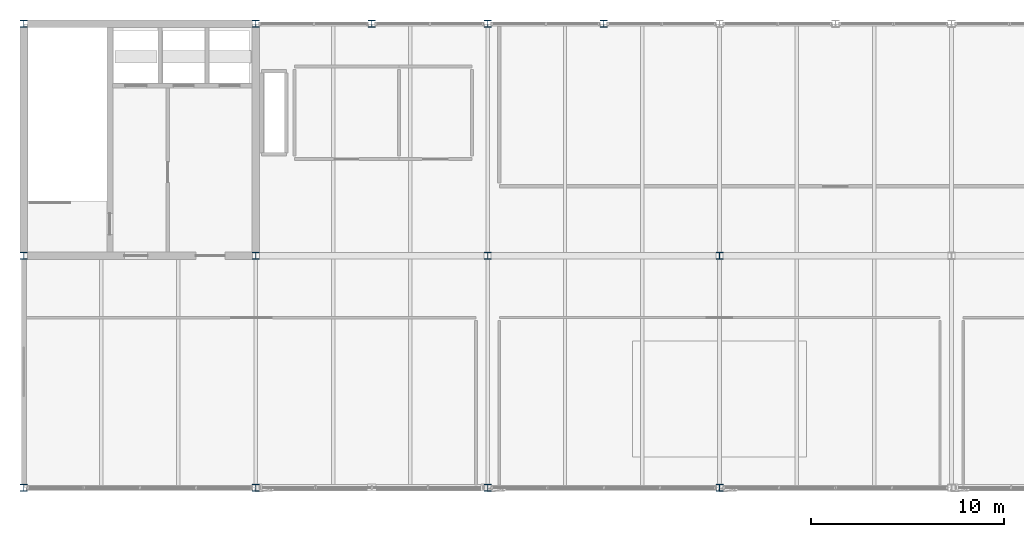
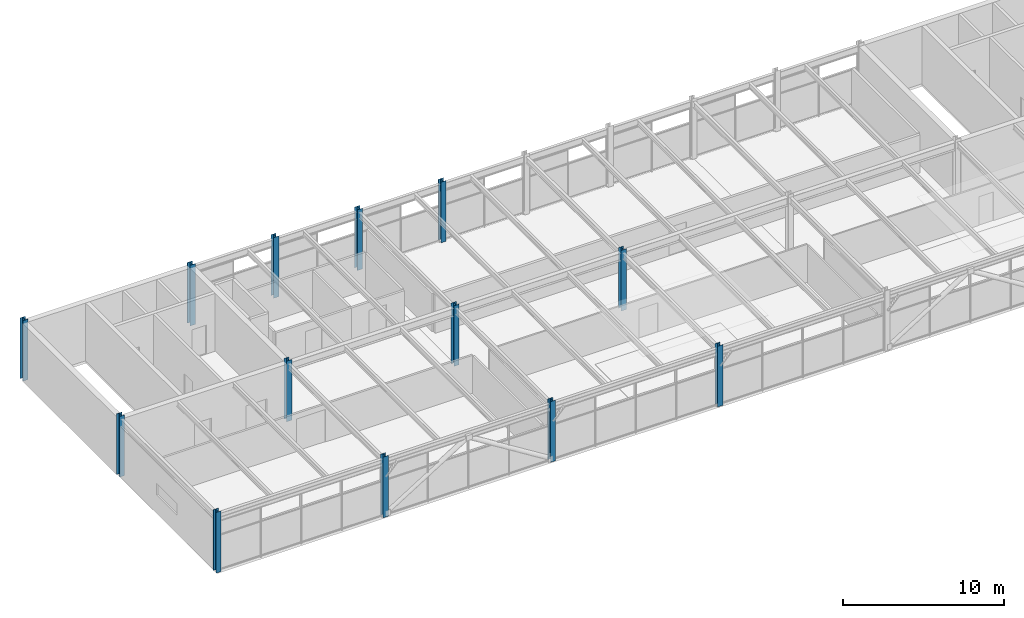
# One storey, part 1 of 28: 13 columns.
"""IFC4 building model written with IfcOpenShell, lengths in metres."""

from ifc_helpers import new_model, si_unit, direction, frame, origin, origin_2d, place, context, subcontext, project, spatial, i_section, extrude, material, material_profile, profile_set, type_object, element, save


model = new_model("IFC4")

# Units and contexts
model_context = context("Model", 3, precision=1e-05, world=origin(), true_north=direction((0.0, 1.0)))
body_context = subcontext(model_context, "Body", "Model", "MODEL_VIEW")
ifc_project = project(units=[si_unit("LENGTHUNIT", "METRE"), si_unit("AREAUNIT", "SQUARE_METRE"), si_unit("VOLUMEUNIT", "CUBIC_METRE"), si_unit("PLANEANGLEUNIT", "RADIAN"), si_unit("MASSUNIT", "GRAM", prefix="KILO")], contexts=[model_context])

# Site, building, storey
site_placement = place(None, origin())
site = spatial("IfcSite", under=ifc_project, at=site_placement, CompositionType="ELEMENT")
building_placement = place(site_placement, origin())
building = spatial("IfcBuilding", under=site, at=building_placement, Name="Girod Span Mobility Hub", CompositionType="ELEMENT")
storey_placement = place(building_placement, frame((0.0, 0.0, 69.60009765625)))
storey = spatial("IfcBuildingStorey", under=building, at=storey_placement, Name="L17", CompositionType="ELEMENT", Elevation=69.60009765625)

# Columns
ifc_material = material(Name="Steel A992 Grade 50", Category="steel")
ifc_material_profile = material_profile(ifc_material, i_section(OverallWidth=0.368896484375, OverallDepth=0.35595703125, WebThickness=0.01123046875, FlangeThickness=0.01806640625, FilletRadius=0.01806640625, at=origin_2d()), Name="W14X90")
ifc_profile_set = profile_set([ifc_material_profile], Name="Steel A992 Grade 50")
column_type = type_object("IfcColumnType", Name="COL-STL-W14X90", PredefinedType="COLUMN", material=ifc_profile_set)
for number, where, z_axis, x_axis, name in (
    (1, (48.0, 45.0, 0.0), (0.0, 0.0, 1.0), (1.0, 0.0, 0.0), "Column 5D L17"),
    (2, (48.0, 57.0, 0.0), (0.0, 0.0, 1.0), (1.0, 0.0, 0.0), "Column 5E L17"),
    (3, (48.0, 69.0, 0.0), (0.0, 0.0, 1.0), (1.0, 0.0, 0.0), "Column 5F L17"),
    (4, (60.0, 45.0, 0.0), (0.0, 0.0, 1.0), (1.0, 0.0, 0.0), "Column 6D L17"),
    (5, (60.0, 57.0, 0.0), (0.0, 0.0, 1.0), (1.0, 0.0, 0.0), "Column 6E L17"),
    (6, (60.0, 69.0, 0.0), (0.0, 0.0, 1.0), (1.0, 0.0, 0.0), "Column 6F L17"),
    (7, (72.0, 45.0, 0.0), (0.0, 0.0, 1.0), (1.0, 0.0, 0.0), "Column 7D L17"),
    (8, (72.0, 57.0, 0.0), (0.0, 0.0, 1.0), (1.0, 0.0, 0.0), "Column 7E L17"),
    (9, (72.0, 69.0, 0.0), (0.0, 0.0, 1.0), (1.0, 0.0, 0.0), "Column 7F L17"),
    (10, (84.0, 45.0, 0.0), (0.0, 0.0, 1.0), (1.0, 0.0, 0.0), "Column 8D L17"),
    (11, (84.0, 57.0, 0.0), (0.0, 0.0, 1.0), (1.0, 0.0, 0.0), "Column 8E L17"),
    (12, (66.0, 69.0, 0.0), (0.0, 0.0, 1.0), (1.0, 0.0, 0.0), "Facade Intermediate Column INT-1 L17"),
    (13, (78.0, 69.0, 0.0), (0.0, 0.0, 1.0), (1.0, 0.0, 0.0), "Facade Intermediate Column INT-2 L17"),
):
    element("IfcColumn", number, at=place(storey_placement, frame(where, z_axis=z_axis, x_axis=x_axis)), inside=storey, type_object=column_type, Name=name, PredefinedType="COLUMN", context=body_context, shape_type="SweptSolid", body=[
        extrude(i_section(OverallWidth=0.368896484375, OverallDepth=0.35595703125, WebThickness=0.01123046875, FlangeThickness=0.01806640625, FilletRadius=0.01806640625, at=origin_2d()), origin(), (0.0, 0.0, 1.0), 4.599853515625),
    ])

save(model, "model.ifc")
